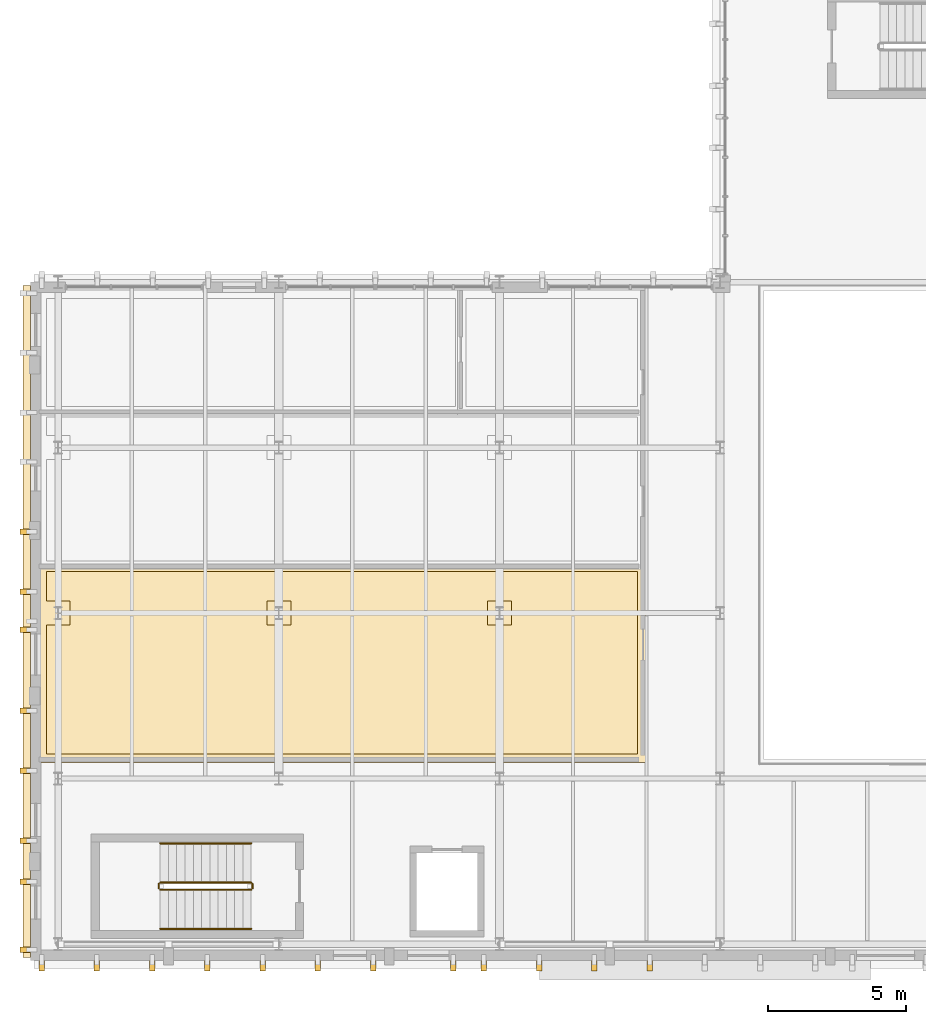
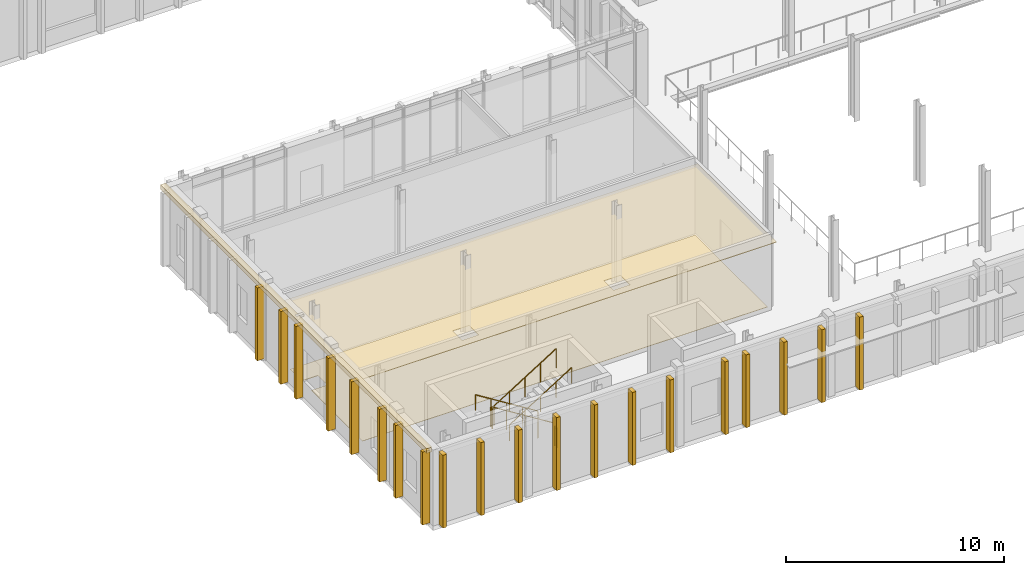
# One storey, part 79 of 100: 23 coverings, 6 railings.
"""IFC4 building model written with IfcOpenShell, lengths in metres."""

from ifc_helpers import new_model, si_unit, direction, frame, origin, origin_2d, place, context, subcontext, project, spatial, polyline, rectangle, circle, outline, extrude, material, layer, layer_set, type_object, element, save


model = new_model("IFC4")

# Units and contexts
model_context = context("Model", 3, precision=1e-05, world=origin(), true_north=direction((0.0, 1.0)))
body_context = subcontext(model_context, "Body", "Model", "MODEL_VIEW")
ifc_project = project(units=[si_unit("LENGTHUNIT", "METRE"), si_unit("AREAUNIT", "SQUARE_METRE"), si_unit("VOLUMEUNIT", "CUBIC_METRE"), si_unit("PLANEANGLEUNIT", "RADIAN"), si_unit("MASSUNIT", "GRAM", prefix="KILO")], contexts=[model_context])

# Site, building, storey
site_placement = place(None, origin())
site = spatial("IfcSite", under=ifc_project, at=site_placement, CompositionType="ELEMENT")
building_placement = place(site_placement, origin())
building = spatial("IfcBuilding", under=site, at=building_placement, Name="Cymarion Research Institute", CompositionType="ELEMENT")
storey_placement = place(building_placement, frame((0.0, 0.0, 4.800048828125)))
storey = spatial("IfcBuildingStorey", under=building, at=storey_placement, Name="L01", CompositionType="ELEMENT", Elevation=4.800048828125)

# Covering
ifc_material_1 = material(Name="Micro-perforated mineral acoustic ceiling tile", Category="gypsum")
ifc_layer_1 = layer(ifc_material_1, 0.030029296875)
ifc_layer_set_1 = layer_set([ifc_layer_1], Name="Micro-perforated mineral acoustic ceiling tile")
covering_type_1 = type_object("IfcCoveringType", Name="ACOUSTIC MICRO-PERFORATED SUSPENDED CEILING CLG-01", PredefinedType="CEILING", material=ifc_layer_set_1)
covering_1_placement = place(storey_placement, frame((0.0, 0.0, 3.699951171875)))
element("IfcCovering", 1, at=covering_1_placement, inside=storey, type_object=covering_type_1, Name="L01 L01 Undergraduate Natural Sciences Teaching Lab A acoustic ceiling", PredefinedType="CEILING", context=body_context, shape_type="SweptSolid", body=[
    extrude(outline(polyline([(27.9150390625, 19.31494140625), (27.9150390625, 12.0849609375), (5.885009765625, 12.0849609375), (5.885009765625, 19.31494140625), (27.9150390625, 19.31494140625)])), origin(), (0.0, 0.0, 1.0), 0.030029296875),
])

# Railings
ifc_material_2 = material(Name="Steel S355", Category="steel")
railing_type_1 = type_object("IfcRailingType", Name="PAINTED STEEL STAIR GUARDRAIL GR1 1100MM", PredefinedType="GUARDRAIL", material=ifc_material_2)
railing_1_placement = place(storey_placement, frame((13.60009765625, 7.72998046875, 0.1875)))
element("IfcRailing", 2, at=railing_1_placement, inside=storey, type_object=railing_type_1, Name="L01 ST5 stair guard 1", PredefinedType="GUARDRAIL", context=body_context, shape_type="SweptSolid", body=[
    extrude(circle(Radius=0.02392578125, at=origin_2d()), frame((0.0, 0.0, 1.076171875), z_axis=(-0.848001828478, 0.0, 0.529993300805), x_axis=(0.0, -1.0, 0.0)), (0.0, 0.0, 1.0), 3.8916015625),
    extrude(circle(Radius=0.02099609375, at=origin_2d()), origin(), (0.0, 0.0, 1.0), 1.052001953125),
    extrude(circle(Radius=0.02099609375, at=origin_2d()), frame((-0.824951171875, 0.0, 0.515625)), (0.0, 0.0, 1.0), 1.052001953125),
    extrude(circle(Radius=0.02099609375, at=origin_2d()), frame((-1.64990234375, 0.0, 1.03125)), (0.0, 0.0, 1.0), 1.052001953125),
    extrude(circle(Radius=0.02099609375, at=origin_2d()), frame((-2.47509765625, 0.0, 1.546875)), (0.0, 0.0, 1.0), 1.052001953125),
    extrude(circle(Radius=0.02099609375, at=origin_2d()), frame((-3.300048828125, 0.0, 2.0625)), (0.0, 0.0, 1.0), 1.052001953125),
])
railing_2_placement = place(storey_placement, frame((10.25, 7.679931640625, 2.25)))
element("IfcRailing", 3, at=railing_2_placement, inside=storey, type_object=railing_type_1, Name="L01 ST5 stair guard 2", PredefinedType="GUARDRAIL", context=body_context, shape_type="SweptSolid", body=[
    extrude(circle(Radius=0.02392578125, at=origin_2d()), frame((0.0, 0.0, 1.076171875), z_axis=(0.0, -1.0, 0.0), x_axis=(1.0, 0.0, 0.0)), (0.0, 0.0, 1.0), 0.159912109375),
    extrude(circle(Radius=0.02099609375, at=origin_2d()), origin(), (0.0, 0.0, 1.0), 1.052001953125),
    extrude(circle(Radius=0.02099609375, at=origin_2d()), frame((0.0, -0.159912109375, 0.0)), (0.0, 0.0, 1.0), 1.052001953125),
])
railing_3_placement = place(storey_placement, frame((10.300048828125, 7.469970703125, 2.4375)))
element("IfcRailing", 4, at=railing_3_placement, inside=storey, type_object=railing_type_1, Name="L01 ST5 stair guard 3", PredefinedType="GUARDRAIL", context=body_context, shape_type="SweptSolid", body=[
    extrude(circle(Radius=0.02392578125, at=origin_2d()), frame((0.0, 0.0, 1.076171875), z_axis=(0.848001828478, 0.0, 0.529993300805), x_axis=(0.0, 1.0, 0.0)), (0.0, 0.0, 1.0), 3.8916015625),
    extrude(circle(Radius=0.02099609375, at=origin_2d()), origin(), (0.0, 0.0, 1.0), 1.052001953125),
    extrude(circle(Radius=0.02099609375, at=origin_2d()), frame((0.824951171875, 0.0, 0.515625)), (0.0, 0.0, 1.0), 1.052001953125),
    extrude(circle(Radius=0.02099609375, at=origin_2d()), frame((1.64990234375, 0.0, 1.03125)), (0.0, 0.0, 1.0), 1.052001953125),
    extrude(circle(Radius=0.02099609375, at=origin_2d()), frame((2.47509765625, 0.0, 1.546875)), (0.0, 0.0, 1.0), 1.052001953125),
    extrude(circle(Radius=0.02099609375, at=origin_2d()), frame((3.300048828125, 0.0, 2.0625)), (0.0, 0.0, 1.0), 1.052001953125),
])
railing_4_placement = place(storey_placement, frame((13.64990234375, 7.679931640625, 0.0)))
element("IfcRailing", 5, at=railing_4_placement, inside=storey, type_object=railing_type_1, Name="L01 ST5 stair guard 4", PredefinedType="GUARDRAIL", context=body_context, shape_type="SweptSolid", body=[
    extrude(circle(Radius=0.02392578125, at=origin_2d()), frame((0.0, 0.0, 1.076171875), z_axis=(0.0, -1.0, 0.0), x_axis=(1.0, 0.0, 0.0)), (0.0, 0.0, 1.0), 0.159912109375),
    extrude(circle(Radius=0.02099609375, at=origin_2d()), origin(), (0.0, 0.0, 1.0), 1.052001953125),
    extrude(circle(Radius=0.02099609375, at=origin_2d()), frame((0.0, -0.159912109375, 0.0)), (0.0, 0.0, 1.0), 1.052001953125),
])

# Coverings
ifc_material_3 = material(Name="Precast concrete C45/55 architectural white", Category="concrete")
ifc_layer_2 = layer(ifc_material_3, 0.260009765625)
ifc_layer_set_2 = layer_set([ifc_layer_2], Name="Precast concrete C45/55 architectural white")
covering_type_2 = type_object("IfcCoveringType", Name="SCULPTURAL WHITE PRECAST CONCRETE SPANDREL BROW BAND RIB2 280MM", PredefinedType="CLADDING", material=ifc_layer_set_2)
covering_2_placement = place(storey_placement, frame((5.4580078125, 17.199951171875, 4.08984375), z_axis=(0.0, 0.0, 1.0), x_axis=(-1.0, 0.0, 0.0)))
element("IfcCovering", 6, at=covering_2_placement, inside=storey, type_object=covering_type_2, Name="L01 V3 precast spandrel brow band RIB2 #276", PredefinedType="CLADDING", context=body_context, shape_type="SweptSolid", body=[
    extrude(rectangle(XDim=0.280029296875, YDim=24.360107421875, at=origin_2d()), origin(), (0.0, 0.0, 1.0), 0.260009765625),
])
ifc_layer_3 = layer(ifc_material_3, 0.199951171875)
ifc_layer_set_3 = layer_set([ifc_layer_3], Name="Precast concrete C45/55 architectural white")
covering_type_3 = type_object("IfcCoveringType", Name="SCULPTURAL WHITE PRECAST CONCRETE VERTICAL RIB RIB1 380X200", PredefinedType="CLADDING", material=ifc_layer_set_3)
for number, where, z_axis, x_axis, name in (
    (7, (6.0, 4.7080078125, 0.009765625), (0.0, 0.0, 1.0), (0.0, -1.0, 0.0), "L01 V3 sculptural precast vertical rib RIB1 #219"),
    (8, (8.004150390625, 4.7080078125, 0.009765625), (0.0, 0.0, 1.0), (0.0, -1.0, 0.0), "L01 V3 sculptural precast vertical rib RIB1 #220"),
    (9, (10.00830078125, 4.7080078125, 0.009765625), (0.0, 0.0, 1.0), (0.0, -1.0, 0.0), "L01 V3 sculptural precast vertical rib RIB1 #221"),
    (10, (12.012451171875, 4.7080078125, 0.009765625), (0.0, 0.0, 1.0), (0.0, -1.0, 0.0), "L01 V3 sculptural precast vertical rib RIB1 #222"),
    (11, (14.0166015625, 4.7080078125, 0.009765625), (0.0, 0.0, 1.0), (0.0, -1.0, 0.0), "L01 V3 sculptural precast vertical rib RIB1 #223"),
    (12, (16.020751953125, 4.7080078125, 0.009765625), (0.0, 0.0, 1.0), (0.0, -1.0, 0.0), "L01 V3 sculptural precast vertical rib RIB1 #224"),
    (13, (18.02490234375, 4.7080078125, 0.009765625), (0.0, 0.0, 1.0), (0.0, -1.0, 0.0), "L01 V3 sculptural precast vertical rib RIB1 #225"),
    (14, (20.919921875, 4.7080078125, 0.009765625), (0.0, 0.0, 1.0), (0.0, -1.0, 0.0), "L01 V3 sculptural precast vertical rib RIB1 #226"),
    (15, (22.033203125, 4.7080078125, 0.009765625), (0.0, 0.0, 1.0), (0.0, -1.0, 0.0), "L01 V3 sculptural precast vertical rib RIB1 #227"),
    (16, (24.03759765625, 4.7080078125, 0.009765625), (0.0, 0.0, 1.0), (0.0, -1.0, 0.0), "L01 V3 sculptural precast vertical rib RIB1 #228"),
    (17, (26.041748046875, 4.7080078125, 0.009765625), (0.0, 0.0, 1.0), (0.0, -1.0, 0.0), "L01 V3 sculptural precast vertical rib RIB1 #229"),
    (18, (28.0458984375, 4.7080078125, 0.009765625), (0.0, 0.0, 1.0), (0.0, -1.0, 0.0), "L01 V3 sculptural precast vertical rib RIB1 #230"),
    (19, (5.407958984375, 20.445556640625, 0.009765625), (0.0, 0.0, 1.0), (-1.0, 0.0, 0.0), "L01 V3 sculptural precast vertical rib RIB1 #281"),
    (20, (5.407958984375, 18.28173828125, 0.009765625), (0.0, 0.0, 1.0), (-1.0, 0.0, 0.0), "L01 V3 sculptural precast vertical rib RIB1 #282"),
    (21, (5.407958984375, 16.89990234375, 0.009765625), (0.0, 0.0, 1.0), (-1.0, 0.0, 0.0), "L01 V3 sculptural precast vertical rib RIB1 #283"),
    (22, (5.407958984375, 13.95458984375, 0.009765625), (0.0, 0.0, 1.0), (-1.0, 0.0, 0.0), "L01 V3 sculptural precast vertical rib RIB1 #284"),
    (23, (5.407958984375, 11.791015625, 0.009765625), (0.0, 0.0, 1.0), (-1.0, 0.0, 0.0), "L01 V3 sculptural precast vertical rib RIB1 #285"),
    (24, (5.407958984375, 9.25, 0.009765625), (0.0, 0.0, 1.0), (-1.0, 0.0, 0.0), "L01 V3 sculptural precast vertical rib RIB1 #286"),
    (25, (5.407958984375, 7.760009765625, 0.009765625), (0.0, 0.0, 1.0), (-1.0, 0.0, 0.0), "L01 V3 sculptural precast vertical rib RIB1 #287"),
    (26, (5.407958984375, 5.300048828125, 0.009765625), (0.0, 0.0, 1.0), (-1.0, 0.0, 0.0), "L01 V3 sculptural precast vertical rib RIB1 #288"),
):
    element("IfcCovering", number, at=place(storey_placement, frame(where, z_axis=z_axis, x_axis=x_axis)), inside=storey, type_object=covering_type_3, Name=name, PredefinedType="CLADDING", context=body_context, shape_type="SweptSolid", body=[
        extrude(rectangle(XDim=0.3798828125, YDim=0.199951171875, at=origin_2d()), origin(), (0.0, 0.0, 1.0), 4.074951171875),
    ])
ifc_material_4 = material(Name="Seamless dissipative epoxy resin flooring", Category="resin")
ifc_layer_4 = layer(ifc_material_4, 0.02001953125)
ifc_layer_set_4 = layer_set([ifc_layer_4], Name="Seamless dissipative epoxy resin flooring")
covering_type_4 = type_object("IfcCoveringType", Name="SEAMLESS ESD EPOXY LABORATORY FLOORING FLR-01", PredefinedType="FLOORING", material=ifc_layer_set_4)
covering_3_placement = place(storey_placement, origin())
element("IfcCovering", 27, at=covering_3_placement, inside=storey, type_object=covering_type_4, Name="L01 L01 Undergraduate Natural Sciences Teaching Lab A ESD epoxy flooring", PredefinedType="FLOORING", context=body_context, shape_type="SweptSolid", body=[
    extrude(outline(polyline([(6.18505859375, 17.06494140625), (7.034912109375, 17.06494140625), (7.034912109375, 17.93505859375), (6.18505859375, 17.93505859375), (6.18505859375, 19.014892578125), (27.614990234375, 19.014892578125), (27.614990234375, 12.385009765625), (6.18505859375, 12.385009765625), (6.18505859375, 17.06494140625)]), holes=[polyline([(23.034912109375, 17.93505859375), (22.1650390625, 17.93505859375), (22.1650390625, 17.06494140625), (23.034912109375, 17.06494140625), (23.034912109375, 17.93505859375)]), polyline([(15.034912109375, 17.93505859375), (14.1650390625, 17.93505859375), (14.1650390625, 17.06494140625), (15.034912109375, 17.06494140625), (15.034912109375, 17.93505859375)])]), origin(), (0.0, 0.0, 1.0), 0.02001953125),
])

# Railings
railing_type_2 = type_object("IfcRailingType", Name="STAINLESS STEEL STAIR HANDRAIL HR1 900MM", PredefinedType="HANDRAIL", material=ifc_material_2)
railing_5_placement = place(storey_placement, frame((13.60009765625, 9.14990234375, 0.1875)))
element("IfcRailing", 28, at=railing_5_placement, inside=storey, type_object=railing_type_2, Name="L01 ST5 stair handrail 1", PredefinedType="HANDRAIL", context=body_context, shape_type="SweptSolid", body=[
    extrude(circle(Radius=0.02392578125, at=origin_2d()), frame((0.0, 0.0, 0.8759765625), z_axis=(-0.848001828478, 0.0, 0.529993300805), x_axis=(0.0, -1.0, 0.0)), (0.0, 0.0, 1.0), 3.8916015625),
    extrude(circle(Radius=0.02099609375, at=origin_2d()), origin(), (0.0, 0.0, 1.0), 0.851806640625),
    extrude(circle(Radius=0.02099609375, at=origin_2d()), frame((-0.824951171875, 0.0, 0.515625)), (0.0, 0.0, 1.0), 0.851806640625),
    extrude(circle(Radius=0.02099609375, at=origin_2d()), frame((-1.64990234375, 0.0, 1.03125)), (0.0, 0.0, 1.0), 0.851806640625),
    extrude(circle(Radius=0.02099609375, at=origin_2d()), frame((-2.47509765625, 0.0, 1.546875)), (0.0, 0.0, 1.0), 0.851806640625),
    extrude(circle(Radius=0.02099609375, at=origin_2d()), frame((-3.300048828125, 0.0, 2.0625)), (0.0, 0.0, 1.0), 0.851806640625),
])
railing_6_placement = place(storey_placement, frame((10.300048828125, 6.050048828125, 2.4375)))
element("IfcRailing", 29, at=railing_6_placement, inside=storey, type_object=railing_type_2, Name="L01 ST5 stair handrail 2", PredefinedType="HANDRAIL", context=body_context, shape_type="SweptSolid", body=[
    extrude(circle(Radius=0.02392578125, at=origin_2d()), frame((0.0, 0.0, 0.8759765625), z_axis=(0.848001828478, 0.0, 0.529993300805), x_axis=(0.0, 1.0, 0.0)), (0.0, 0.0, 1.0), 3.8916015625),
    extrude(circle(Radius=0.02099609375, at=origin_2d()), origin(), (0.0, 0.0, 1.0), 0.851806640625),
    extrude(circle(Radius=0.02099609375, at=origin_2d()), frame((0.824951171875, 0.0, 0.515625)), (0.0, 0.0, 1.0), 0.851806640625),
    extrude(circle(Radius=0.02099609375, at=origin_2d()), frame((1.64990234375, 0.0, 1.03125)), (0.0, 0.0, 1.0), 0.851806640625),
    extrude(circle(Radius=0.02099609375, at=origin_2d()), frame((2.47509765625, 0.0, 1.546875)), (0.0, 0.0, 1.0), 0.851806640625),
    extrude(circle(Radius=0.02099609375, at=origin_2d()), frame((3.300048828125, 0.0, 2.0625)), (0.0, 0.0, 1.0), 0.851806640625),
])

save(model, "model.ifc")
